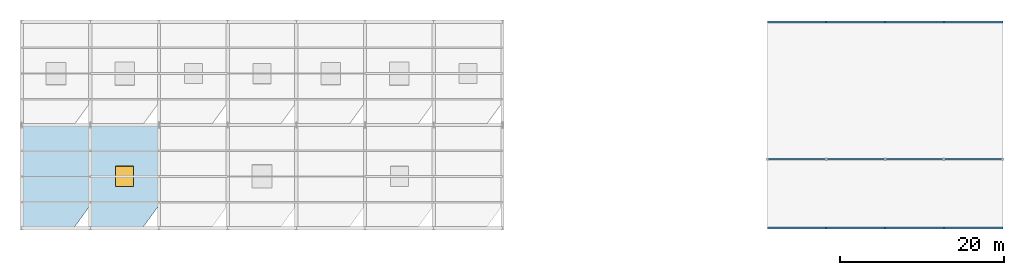
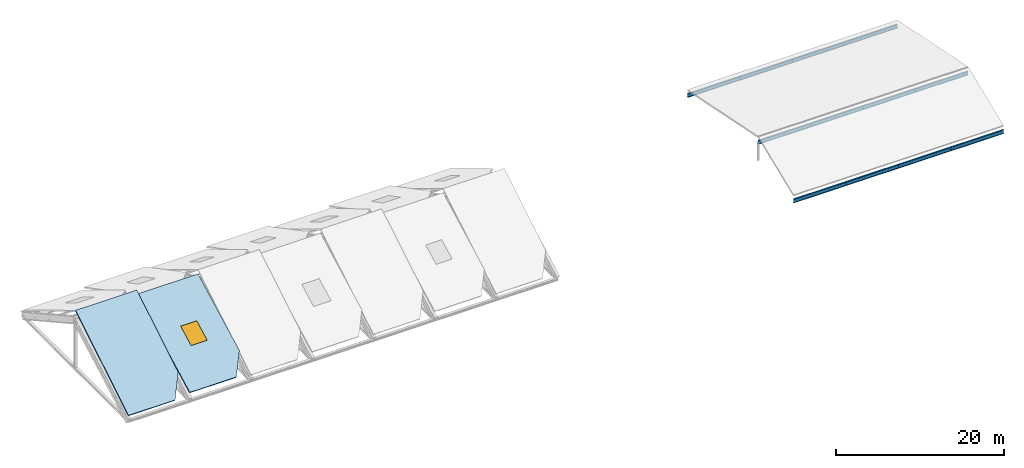
# One storey, part 4 of 13: 12 beams, 2 slabs, 1 window, 1 opening.
"""IFC4 building model written with IfcOpenShell, lengths in metres."""

from ifc_helpers import new_model, si_unit, direction, frame, origin, origin_2d, place, context, subcontext, project, spatial, polyline, rectangle, i_section, outline, extrude, material, layer, layer_set, material_profile, profile_set, type_object, element, fill, save


model = new_model("IFC4")

# Units and contexts
model_context = context("Model", 3, precision=1e-05, world=origin(), true_north=direction((0.0, 1.0)))
body_context = subcontext(model_context, "Body", "Model", "MODEL_VIEW")
ifc_project = project(units=[si_unit("LENGTHUNIT", "METRE"), si_unit("AREAUNIT", "SQUARE_METRE"), si_unit("VOLUMEUNIT", "CUBIC_METRE"), si_unit("PLANEANGLEUNIT", "RADIAN"), si_unit("MASSUNIT", "GRAM", prefix="KILO")], contexts=[model_context])

# Site, building, storey
site_placement = place(None, origin())
site = spatial("IfcSite", under=ifc_project, at=site_placement, CompositionType="ELEMENT")
building_placement = place(site_placement, origin())
building = spatial("IfcBuilding", under=site, at=building_placement, Name="Calvrana Isthmian Art Gallery", CompositionType="ELEMENT")
storey_placement = place(building_placement, frame((0.0, 0.0, 29.39990234375)))
storey = spatial("IfcBuildingStorey", under=building, at=storey_placement, Name="RF", CompositionType="ELEMENT", Elevation=29.39990234375)

# Beams
ifc_material_1 = material(Name="Steel ASTM A992 Gr 50", Category="steel")
ifc_material_profile = material_profile(ifc_material_1, i_section(OverallWidth=0.208984375, OverallDepth=0.532958984375, WebThickness=0.01025390625, FlangeThickness=0.015625, FilletRadius=0.02099609375, at=origin_2d()), Name="W21X62")
ifc_profile_set = profile_set([ifc_material_profile], Name="Steel ASTM A992 Gr 50")
beam_type = type_object("IfcBeamType", Name="BM-G-W21X62", PredefinedType="BEAM", material=ifc_profile_set)
for number, where, z_axis, x_axis, name in (
    (1, (112.800048828125, 21.60009765625, -0.81982421875), (1.0, 0.0, 0.0), (0.0, 1.0, 0.0), "Sloped roof rafter SROOF_V4_S-35"),
    (2, (120.0, 21.60009765625, -0.81982421875), (1.0, 0.0, 0.0), (0.0, 1.0, 0.0), "Sloped roof rafter SROOF_V4_S-36"),
    (3, (127.199951171875, 21.60009765625, -0.81982421875), (1.0, 0.0, 0.0), (0.0, 1.0, 0.0), "Sloped roof rafter SROOF_V4_S-37"),
):
    element("IfcBeam", number, at=place(storey_placement, frame(where, z_axis=z_axis, x_axis=x_axis)), inside=storey, type_object=beam_type, Name=name, PredefinedType="BEAM", context=body_context, shape_type="SweptSolid", body=[
        extrude(i_section(OverallWidth=0.208984375, OverallDepth=0.532958984375, WebThickness=0.01025390625, FlangeThickness=0.015625, FilletRadius=0.02099609375, at=origin_2d()), origin(), (0.0, 0.0, 1.0), 7.199951171875),
    ])
beam_1_placement = place(storey_placement, frame((134.39990234375, 21.60009765625, -0.81982421875), z_axis=(1.0, 0.0, 0.0), x_axis=(0.0, 1.0, 0.0)))
element("IfcBeam", 4, at=beam_1_placement, inside=storey, type_object=beam_type, Name="Sloped roof rafter SROOF_V4_S-38", PredefinedType="BEAM", context=body_context, shape_type="SweptSolid", body=[
    extrude(i_section(OverallWidth=0.208984375, OverallDepth=0.532958984375, WebThickness=0.01025390625, FlangeThickness=0.015625, FilletRadius=0.02099609375, at=origin_2d()), origin(), (0.0, 0.0, 1.0), 7.2001953125),
])
for number, where, z_axis, x_axis, name in (
    (5, (112.800048828125, 30.0, 2.580078125), (1.0, 0.0, 0.0), (0.0, 1.0, 0.0), "Sloped roof rafter SROOF_V4_S-39"),
    (6, (120.0, 30.0, 2.580078125), (1.0, 0.0, 0.0), (0.0, 1.0, 0.0), "Sloped roof rafter SROOF_V4_S-40"),
    (7, (127.199951171875, 30.0, 2.580078125), (1.0, 0.0, 0.0), (0.0, 1.0, 0.0), "Sloped roof rafter SROOF_V4_S-41"),
):
    element("IfcBeam", number, at=place(storey_placement, frame(where, z_axis=z_axis, x_axis=x_axis)), inside=storey, type_object=beam_type, Name=name, PredefinedType="BEAM", context=body_context, shape_type="SweptSolid", body=[
        extrude(i_section(OverallWidth=0.208984375, OverallDepth=0.532958984375, WebThickness=0.01025390625, FlangeThickness=0.015625, FilletRadius=0.02099609375, at=origin_2d()), origin(), (0.0, 0.0, 1.0), 7.199951171875),
    ])
beam_2_placement = place(storey_placement, frame((134.39990234375, 30.0, 2.580078125), z_axis=(1.0, 0.0, 0.0), x_axis=(0.0, 1.0, 0.0)))
element("IfcBeam", 8, at=beam_2_placement, inside=storey, type_object=beam_type, Name="Sloped roof rafter SROOF_V4_S-42", PredefinedType="BEAM", context=body_context, shape_type="SweptSolid", body=[
    extrude(i_section(OverallWidth=0.208984375, OverallDepth=0.532958984375, WebThickness=0.01025390625, FlangeThickness=0.015625, FilletRadius=0.02099609375, at=origin_2d()), origin(), (0.0, 0.0, 1.0), 7.2001953125),
])
for number, where, z_axis, x_axis, name in (
    (9, (112.800048828125, 46.800048828125, -0.81982421875), (1.0, 0.0, 0.0), (0.0, 1.0, 0.0), "Sloped roof rafter SROOF_V4_N-43"),
    (10, (120.0, 46.800048828125, -0.81982421875), (1.0, 0.0, 0.0), (0.0, 1.0, 0.0), "Sloped roof rafter SROOF_V4_N-44"),
    (11, (127.199951171875, 46.800048828125, -0.81982421875), (1.0, 0.0, 0.0), (0.0, 1.0, 0.0), "Sloped roof rafter SROOF_V4_N-45"),
):
    element("IfcBeam", number, at=place(storey_placement, frame(where, z_axis=z_axis, x_axis=x_axis)), inside=storey, type_object=beam_type, Name=name, PredefinedType="BEAM", context=body_context, shape_type="SweptSolid", body=[
        extrude(i_section(OverallWidth=0.208984375, OverallDepth=0.532958984375, WebThickness=0.01025390625, FlangeThickness=0.015625, FilletRadius=0.02099609375, at=origin_2d()), origin(), (0.0, 0.0, 1.0), 7.199951171875),
    ])
beam_3_placement = place(storey_placement, frame((134.39990234375, 46.800048828125, -0.81982421875), z_axis=(1.0, 0.0, 0.0), x_axis=(0.0, 1.0, 0.0)))
element("IfcBeam", 12, at=beam_3_placement, inside=storey, type_object=beam_type, Name="Sloped roof rafter SROOF_V4_N-46", PredefinedType="BEAM", context=body_context, shape_type="SweptSolid", body=[
    extrude(i_section(OverallWidth=0.208984375, OverallDepth=0.532958984375, WebThickness=0.01025390625, FlangeThickness=0.015625, FilletRadius=0.02099609375, at=origin_2d()), origin(), (0.0, 0.0, 1.0), 7.2001953125),
])

# Slab
ifc_material_2 = material(Name="Concrete C40/50", Category="concrete")
ifc_layer = layer(ifc_material_2, 0.179931640625, Name="Concrete C40/50")
ifc_layer_set = layer_set([ifc_layer], Name="Concrete C40/50")
slab_type = type_object("IfcSlabType", Name="SLB-FPROOF-180", PredefinedType="ROOF", material=ifc_layer_set)
slab_1_placement = place(storey_placement, frame((21.60009765625, 21.60009765625, 0.0), z_axis=(-4.958328e-06, -0.516501857557, 0.856286068505), x_axis=(0.999999999988, -2.560986e-06, 4.245747e-06)))
element("IfcSlab", 13, at=slab_1_placement, inside=storey, type_object=slab_type, Name="Folded plate roof facet bay 1 S", PredefinedType="ROOF", context=body_context, shape_type="SweptSolid", body=[
    extrude(outline(polyline([(0.0, 0.0), (6.383789062421528, 0.0), (8.399902344059768, 3.2372542100526265), (8.39990234369631, 14.714543587880817), (4.9566183134893554e-11, 14.714543587880817), (0.0, 0.0)])), origin(), (0.0, 0.0, -1.0), 0.179931640625),
])

# Slab, opening, window
slab_2_placement = place(storey_placement, frame((30.0, 21.60009765625, 0.400146484375), z_axis=(3.576313e-06, -0.464003595424, 0.885833315822), x_axis=(0.999999999994, 1.659422e-06, -3.168017e-06)))
slab_2 = element("IfcSlab", 14, at=slab_2_placement, inside=storey, type_object=slab_type, Name="Folded plate roof facet bay 2 S", PredefinedType="ROOF", context=body_context, shape_type="SweptSolid", body=[
    extrude(outline(polyline([(0.0, 0.0), (6.384033203084174, -1.35187161485307e-21), (8.399902343911153, 3.1291945434363777), (8.399902343722067, 14.223725779234615), (2.57829957809653e-11, 14.223725779234615), (0.0, 0.0)])), origin(), (0.0, 0.0, -1.0), 0.179931640625),
])
opening_placement = place(slab_2_placement, frame((4.199951171875, 7.11181640625, 0.01025390625)))
opening = element("IfcOpeningElement", 15, at=opening_placement, cuts=slab_2, Name="Opening SK-02", PredefinedType="OPENING", context=body_context, shape_type="SweptSolid", body=[
    extrude(rectangle(XDim=2.199951171875, YDim=2.800048828125, at=origin_2d()), origin(), (0.0, 0.0, -1.0), 0.200439453125),
])
ifc_material_3 = material(Name="Diffusing skylight glass", Category="glass")
window_type = type_object("IfcWindowType", Name="SKY-FP-220X280", PartitioningType="SINGLE_PANEL", PredefinedType="SKYLIGHT", material=ifc_material_3)
window_placement = place(slab_2_placement, frame((4.199951171875, 7.11181640625, 0.0)))
window = element("IfcWindow", 16, at=window_placement, inside=storey, type_object=window_type, Name="Diffusing folded-plate skylight SK-02", OverallHeight=2.800048828125, OverallWidth=2.199951171875, PartitioningType="SINGLE_PANEL", PredefinedType="SKYLIGHT", context=body_context, shape_type="SweptSolid", body=[
    extrude(rectangle(XDim=2.199951171875, YDim=2.800048828125, at=origin_2d()), origin(), (0.0, 0.0, -1.0), 0.06005859375),
])
fill(opening, window)

save(model, "model.ifc")
